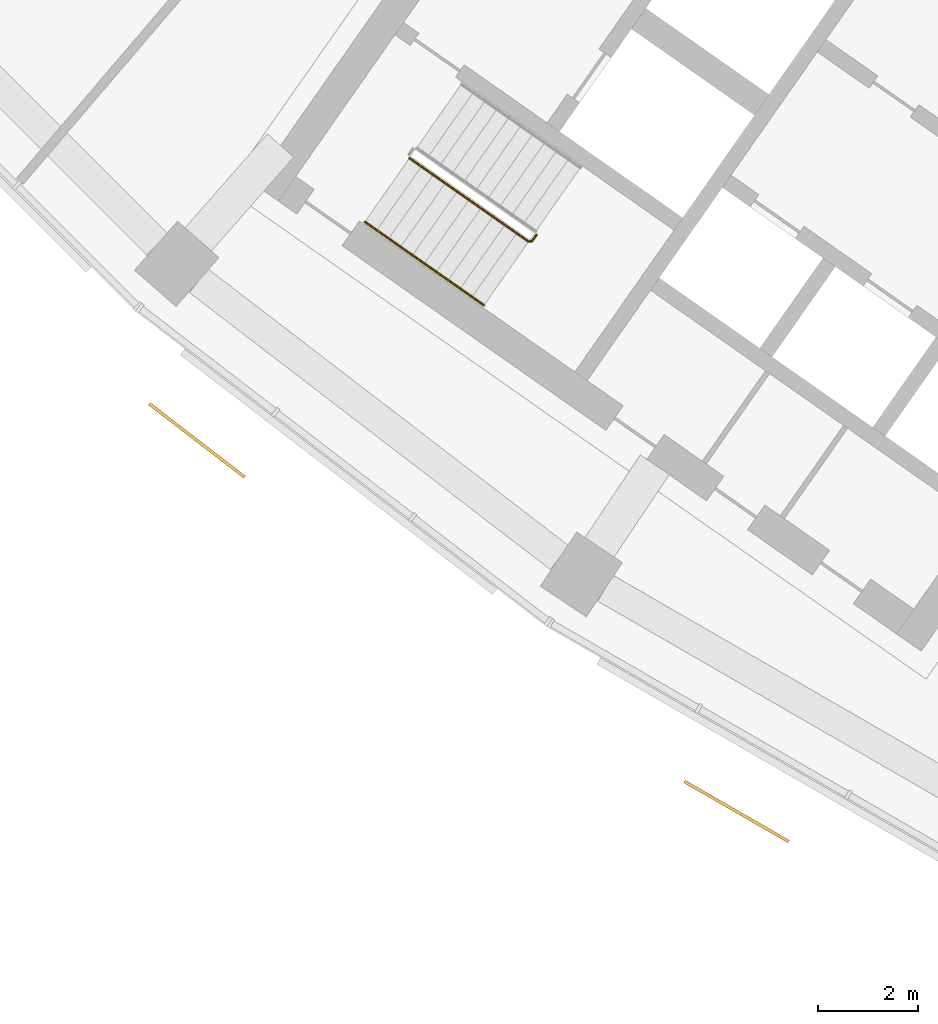
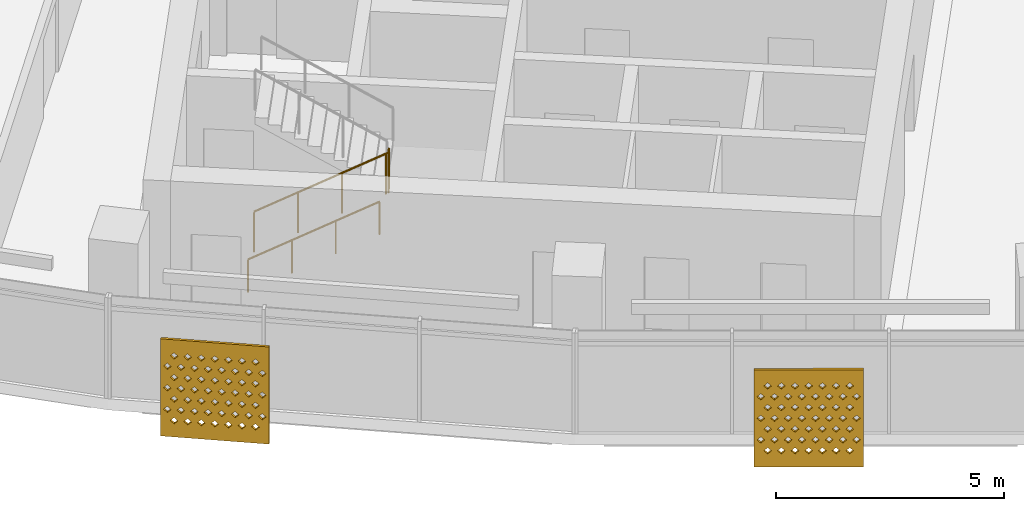
# One storey, part 21 of 26: 2 railings, 2 shading devices.
"""IFC4 building model written with IfcOpenShell, lengths in metres."""

from ifc_helpers import new_model, si_unit, direction, frame, origin, origin_2d, place, context, subcontext, project, spatial, polyline, circle, outline, extrude, material, material_profile, profile_set, type_object, element, save


model = new_model("IFC4")

# Units and contexts
model_context = context("Model", 3, precision=1e-05, world=origin(), true_north=direction((0.0, 1.0)))
body_context = subcontext(model_context, "Body", "Model", "MODEL_VIEW")
ifc_project = project(units=[si_unit("LENGTHUNIT", "METRE"), si_unit("AREAUNIT", "SQUARE_METRE"), si_unit("VOLUMEUNIT", "CUBIC_METRE"), si_unit("PLANEANGLEUNIT", "RADIAN"), si_unit("MASSUNIT", "GRAM", prefix="KILO")], contexts=[model_context])

# Site, building, storey
site_placement = place(None, origin())
site = spatial("IfcSite", under=ifc_project, at=site_placement, CompositionType="ELEMENT")
building_placement = place(site_placement, origin())
building = spatial("IfcBuilding", under=site, at=building_placement, Name="Qamariyya Broadcast Tower", CompositionType="ELEMENT")
storey_placement = place(building_placement, frame((0.0, 0.0, 168.300048828125)))
storey = spatial("IfcBuildingStorey", under=building, at=storey_placement, Name="L39", CompositionType="ELEMENT", Elevation=168.300048828125)

# Shading devices
ifc_material_1 = material(Name="Perforated glazed terracotta", Category="masonry")
ifc_material_profile = material_profile(ifc_material_1, outline(polyline([(-1.199951171875, -1.300048828125), (1.199951171875, -1.300048828125), (1.199951171875, 1.300048828125), (-1.199951171875, 1.300048828125), (-1.199951171875, -1.300048828125)]), holes=[polyline([(-0.81494140625, -0.86669921875), (-0.89990234375, -0.78173828125), (-0.985107421875, -0.86669921875), (-0.89990234375, -0.95166015625), (-0.81494140625, -0.86669921875)]), polyline([(-0.514892578125, -0.86669921875), (-0.60009765625, -0.78173828125), (-0.68505859375, -0.86669921875), (-0.60009765625, -0.95166015625), (-0.514892578125, -0.86669921875)]), polyline([(-0.215087890625, -0.86669921875), (-0.300048828125, -0.78173828125), (-0.385009765625, -0.86669921875), (-0.300048828125, -0.95166015625), (-0.215087890625, -0.86669921875)]), polyline([(0.0849609375, -0.86669921875), (0.0, -0.78173828125), (-0.0849609375, -0.86669921875), (0.0, -0.95166015625), (0.0849609375, -0.86669921875)]), polyline([(0.385009765625, -0.86669921875), (0.300048828125, -0.78173828125), (0.215087890625, -0.86669921875), (0.300048828125, -0.95166015625), (0.385009765625, -0.86669921875)]), polyline([(0.68505859375, -0.86669921875), (0.60009765625, -0.78173828125), (0.514892578125, -0.86669921875), (0.60009765625, -0.95166015625), (0.68505859375, -0.86669921875)]), polyline([(0.985107421875, -0.86669921875), (0.89990234375, -0.78173828125), (0.81494140625, -0.86669921875), (0.89990234375, -0.95166015625), (0.985107421875, -0.86669921875)]), polyline([(-0.965087890625, -0.577880859375), (-1.050048828125, -0.49267578125), (-1.135009765625, -0.577880859375), (-1.050048828125, -0.662841796875), (-0.965087890625, -0.577880859375)]), polyline([(-0.6650390625, -0.577880859375), (-0.75, -0.49267578125), (-0.8349609375, -0.577880859375), (-0.75, -0.662841796875), (-0.6650390625, -0.577880859375)]), polyline([(-0.364990234375, -0.577880859375), (-0.449951171875, -0.49267578125), (-0.534912109375, -0.577880859375), (-0.449951171875, -0.662841796875), (-0.364990234375, -0.577880859375)]), polyline([(-0.06494140625, -0.577880859375), (-0.14990234375, -0.49267578125), (-0.235107421875, -0.577880859375), (-0.14990234375, -0.662841796875), (-0.06494140625, -0.577880859375)]), polyline([(0.235107421875, -0.577880859375), (0.14990234375, -0.49267578125), (0.06494140625, -0.577880859375), (0.14990234375, -0.662841796875), (0.235107421875, -0.577880859375)]), polyline([(0.534912109375, -0.577880859375), (0.449951171875, -0.49267578125), (0.364990234375, -0.577880859375), (0.449951171875, -0.662841796875), (0.534912109375, -0.577880859375)]), polyline([(0.8349609375, -0.577880859375), (0.75, -0.49267578125), (0.6650390625, -0.577880859375), (0.75, -0.662841796875), (0.8349609375, -0.577880859375)]), polyline([(1.135009765625, -0.577880859375), (1.050048828125, -0.49267578125), (0.965087890625, -0.577880859375), (1.050048828125, -0.662841796875), (1.135009765625, -0.577880859375)]), polyline([(-0.81494140625, -0.288818359375), (-0.89990234375, -0.203857421875), (-0.985107421875, -0.288818359375), (-0.89990234375, -0.373779296875), (-0.81494140625, -0.288818359375)]), polyline([(-0.514892578125, -0.288818359375), (-0.60009765625, -0.203857421875), (-0.68505859375, -0.288818359375), (-0.60009765625, -0.373779296875), (-0.514892578125, -0.288818359375)]), polyline([(-0.215087890625, -0.288818359375), (-0.300048828125, -0.203857421875), (-0.385009765625, -0.288818359375), (-0.300048828125, -0.373779296875), (-0.215087890625, -0.288818359375)]), polyline([(0.0849609375, -0.288818359375), (0.0, -0.203857421875), (-0.0849609375, -0.288818359375), (0.0, -0.373779296875), (0.0849609375, -0.288818359375)]), polyline([(0.385009765625, -0.288818359375), (0.300048828125, -0.203857421875), (0.215087890625, -0.288818359375), (0.300048828125, -0.373779296875), (0.385009765625, -0.288818359375)]), polyline([(0.68505859375, -0.288818359375), (0.60009765625, -0.203857421875), (0.514892578125, -0.288818359375), (0.60009765625, -0.373779296875), (0.68505859375, -0.288818359375)]), polyline([(0.985107421875, -0.288818359375), (0.89990234375, -0.203857421875), (0.81494140625, -0.288818359375), (0.89990234375, -0.373779296875), (0.985107421875, -0.288818359375)]), polyline([(-0.965087890625, 0.0), (-1.050048828125, 0.0849609375), (-1.135009765625, 0.0), (-1.050048828125, -0.0849609375), (-0.965087890625, 0.0)]), polyline([(-0.6650390625, 0.0), (-0.75, 0.0849609375), (-0.8349609375, 0.0), (-0.75, -0.0849609375), (-0.6650390625, 0.0)]), polyline([(-0.364990234375, 0.0), (-0.449951171875, 0.0849609375), (-0.534912109375, 0.0), (-0.449951171875, -0.0849609375), (-0.364990234375, 0.0)]), polyline([(-0.06494140625, 0.0), (-0.14990234375, 0.0849609375), (-0.235107421875, 0.0), (-0.14990234375, -0.0849609375), (-0.06494140625, 0.0)]), polyline([(0.235107421875, 0.0), (0.14990234375, 0.0849609375), (0.06494140625, 0.0), (0.14990234375, -0.0849609375), (0.235107421875, 0.0)]), polyline([(0.534912109375, 0.0), (0.449951171875, 0.0849609375), (0.364990234375, 0.0), (0.449951171875, -0.0849609375), (0.534912109375, 0.0)]), polyline([(0.8349609375, 0.0), (0.75, 0.0849609375), (0.6650390625, 0.0), (0.75, -0.0849609375), (0.8349609375, 0.0)]), polyline([(1.135009765625, 0.0), (1.050048828125, 0.0849609375), (0.965087890625, 0.0), (1.050048828125, -0.0849609375), (1.135009765625, 0.0)]), polyline([(-0.81494140625, 0.288818359375), (-0.89990234375, 0.373779296875), (-0.985107421875, 0.288818359375), (-0.89990234375, 0.203857421875), (-0.81494140625, 0.288818359375)]), polyline([(-0.514892578125, 0.288818359375), (-0.60009765625, 0.373779296875), (-0.68505859375, 0.288818359375), (-0.60009765625, 0.203857421875), (-0.514892578125, 0.288818359375)]), polyline([(-0.215087890625, 0.288818359375), (-0.300048828125, 0.373779296875), (-0.385009765625, 0.288818359375), (-0.300048828125, 0.203857421875), (-0.215087890625, 0.288818359375)]), polyline([(0.0849609375, 0.288818359375), (0.0, 0.373779296875), (-0.0849609375, 0.288818359375), (0.0, 0.203857421875), (0.0849609375, 0.288818359375)]), polyline([(0.385009765625, 0.288818359375), (0.300048828125, 0.373779296875), (0.215087890625, 0.288818359375), (0.300048828125, 0.203857421875), (0.385009765625, 0.288818359375)]), polyline([(0.68505859375, 0.288818359375), (0.60009765625, 0.373779296875), (0.514892578125, 0.288818359375), (0.60009765625, 0.203857421875), (0.68505859375, 0.288818359375)]), polyline([(0.985107421875, 0.288818359375), (0.89990234375, 0.373779296875), (0.81494140625, 0.288818359375), (0.89990234375, 0.203857421875), (0.985107421875, 0.288818359375)]), polyline([(-0.965087890625, 0.577880859375), (-1.050048828125, 0.662841796875), (-1.135009765625, 0.577880859375), (-1.050048828125, 0.49267578125), (-0.965087890625, 0.577880859375)]), polyline([(-0.6650390625, 0.577880859375), (-0.75, 0.662841796875), (-0.8349609375, 0.577880859375), (-0.75, 0.49267578125), (-0.6650390625, 0.577880859375)]), polyline([(-0.364990234375, 0.577880859375), (-0.449951171875, 0.662841796875), (-0.534912109375, 0.577880859375), (-0.449951171875, 0.49267578125), (-0.364990234375, 0.577880859375)]), polyline([(-0.06494140625, 0.577880859375), (-0.14990234375, 0.662841796875), (-0.235107421875, 0.577880859375), (-0.14990234375, 0.49267578125), (-0.06494140625, 0.577880859375)]), polyline([(0.235107421875, 0.577880859375), (0.14990234375, 0.662841796875), (0.06494140625, 0.577880859375), (0.14990234375, 0.49267578125), (0.235107421875, 0.577880859375)]), polyline([(0.534912109375, 0.577880859375), (0.449951171875, 0.662841796875), (0.364990234375, 0.577880859375), (0.449951171875, 0.49267578125), (0.534912109375, 0.577880859375)]), polyline([(0.8349609375, 0.577880859375), (0.75, 0.662841796875), (0.6650390625, 0.577880859375), (0.75, 0.49267578125), (0.8349609375, 0.577880859375)]), polyline([(1.135009765625, 0.577880859375), (1.050048828125, 0.662841796875), (0.965087890625, 0.577880859375), (1.050048828125, 0.49267578125), (1.135009765625, 0.577880859375)]), polyline([(-0.81494140625, 0.86669921875), (-0.89990234375, 0.95166015625), (-0.985107421875, 0.86669921875), (-0.89990234375, 0.78173828125), (-0.81494140625, 0.86669921875)]), polyline([(-0.514892578125, 0.86669921875), (-0.60009765625, 0.95166015625), (-0.68505859375, 0.86669921875), (-0.60009765625, 0.78173828125), (-0.514892578125, 0.86669921875)]), polyline([(-0.215087890625, 0.86669921875), (-0.300048828125, 0.95166015625), (-0.385009765625, 0.86669921875), (-0.300048828125, 0.78173828125), (-0.215087890625, 0.86669921875)]), polyline([(0.0849609375, 0.86669921875), (0.0, 0.95166015625), (-0.0849609375, 0.86669921875), (0.0, 0.78173828125), (0.0849609375, 0.86669921875)]), polyline([(0.385009765625, 0.86669921875), (0.300048828125, 0.95166015625), (0.215087890625, 0.86669921875), (0.300048828125, 0.78173828125), (0.385009765625, 0.86669921875)]), polyline([(0.68505859375, 0.86669921875), (0.60009765625, 0.95166015625), (0.514892578125, 0.86669921875), (0.60009765625, 0.78173828125), (0.68505859375, 0.86669921875)]), polyline([(0.985107421875, 0.86669921875), (0.89990234375, 0.95166015625), (0.81494140625, 0.86669921875), (0.89990234375, 0.78173828125), (0.985107421875, 0.86669921875)])]))
ifc_profile_set = profile_set([ifc_material_profile], Name="Perforated glazed terracotta")
shading_device_type = type_object("IfcShadingDeviceType", Name="Perforated terracotta screen 2400 x 2600", PredefinedType="USERDEFINED", material=ifc_profile_set)
shading_device_1_placement = place(storey_placement, frame((-50.844970703125, -61.9501953125, 1.349853515625), z_axis=(-0.60971076085, -0.792623989105, 0.0), x_axis=(0.792623989105, -0.60971076085, 0.0)))
element("IfcShadingDevice", 1, at=shading_device_1_placement, inside=storey, type_object=shading_device_type, Name="e-scr-L39-02-0", ObjectType="SCREEN", PredefinedType="USERDEFINED", context=body_context, shape_type="SweptSolid", body=[
    extrude(outline(polyline([(-1.199951171875, -1.300048828125), (1.199951171875, -1.300048828125), (1.199951171875, 1.300048828125), (-1.199951171875, 1.300048828125), (-1.199951171875, -1.300048828125)]), holes=[polyline([(-0.81494140625, -0.86669921875), (-0.89990234375, -0.78173828125), (-0.985107421875, -0.86669921875), (-0.89990234375, -0.95166015625), (-0.81494140625, -0.86669921875)]), polyline([(-0.514892578125, -0.86669921875), (-0.60009765625, -0.78173828125), (-0.68505859375, -0.86669921875), (-0.60009765625, -0.95166015625), (-0.514892578125, -0.86669921875)]), polyline([(-0.215087890625, -0.86669921875), (-0.300048828125, -0.78173828125), (-0.385009765625, -0.86669921875), (-0.300048828125, -0.95166015625), (-0.215087890625, -0.86669921875)]), polyline([(0.0849609375, -0.86669921875), (0.0, -0.78173828125), (-0.0849609375, -0.86669921875), (0.0, -0.95166015625), (0.0849609375, -0.86669921875)]), polyline([(0.385009765625, -0.86669921875), (0.300048828125, -0.78173828125), (0.215087890625, -0.86669921875), (0.300048828125, -0.95166015625), (0.385009765625, -0.86669921875)]), polyline([(0.68505859375, -0.86669921875), (0.60009765625, -0.78173828125), (0.514892578125, -0.86669921875), (0.60009765625, -0.95166015625), (0.68505859375, -0.86669921875)]), polyline([(0.985107421875, -0.86669921875), (0.89990234375, -0.78173828125), (0.81494140625, -0.86669921875), (0.89990234375, -0.95166015625), (0.985107421875, -0.86669921875)]), polyline([(-0.965087890625, -0.577880859375), (-1.050048828125, -0.49267578125), (-1.135009765625, -0.577880859375), (-1.050048828125, -0.662841796875), (-0.965087890625, -0.577880859375)]), polyline([(-0.6650390625, -0.577880859375), (-0.75, -0.49267578125), (-0.8349609375, -0.577880859375), (-0.75, -0.662841796875), (-0.6650390625, -0.577880859375)]), polyline([(-0.364990234375, -0.577880859375), (-0.449951171875, -0.49267578125), (-0.534912109375, -0.577880859375), (-0.449951171875, -0.662841796875), (-0.364990234375, -0.577880859375)]), polyline([(-0.06494140625, -0.577880859375), (-0.14990234375, -0.49267578125), (-0.235107421875, -0.577880859375), (-0.14990234375, -0.662841796875), (-0.06494140625, -0.577880859375)]), polyline([(0.235107421875, -0.577880859375), (0.14990234375, -0.49267578125), (0.06494140625, -0.577880859375), (0.14990234375, -0.662841796875), (0.235107421875, -0.577880859375)]), polyline([(0.534912109375, -0.577880859375), (0.449951171875, -0.49267578125), (0.364990234375, -0.577880859375), (0.449951171875, -0.662841796875), (0.534912109375, -0.577880859375)]), polyline([(0.8349609375, -0.577880859375), (0.75, -0.49267578125), (0.6650390625, -0.577880859375), (0.75, -0.662841796875), (0.8349609375, -0.577880859375)]), polyline([(1.135009765625, -0.577880859375), (1.050048828125, -0.49267578125), (0.965087890625, -0.577880859375), (1.050048828125, -0.662841796875), (1.135009765625, -0.577880859375)]), polyline([(-0.81494140625, -0.288818359375), (-0.89990234375, -0.203857421875), (-0.985107421875, -0.288818359375), (-0.89990234375, -0.373779296875), (-0.81494140625, -0.288818359375)]), polyline([(-0.514892578125, -0.288818359375), (-0.60009765625, -0.203857421875), (-0.68505859375, -0.288818359375), (-0.60009765625, -0.373779296875), (-0.514892578125, -0.288818359375)]), polyline([(-0.215087890625, -0.288818359375), (-0.300048828125, -0.203857421875), (-0.385009765625, -0.288818359375), (-0.300048828125, -0.373779296875), (-0.215087890625, -0.288818359375)]), polyline([(0.0849609375, -0.288818359375), (0.0, -0.203857421875), (-0.0849609375, -0.288818359375), (0.0, -0.373779296875), (0.0849609375, -0.288818359375)]), polyline([(0.385009765625, -0.288818359375), (0.300048828125, -0.203857421875), (0.215087890625, -0.288818359375), (0.300048828125, -0.373779296875), (0.385009765625, -0.288818359375)]), polyline([(0.68505859375, -0.288818359375), (0.60009765625, -0.203857421875), (0.514892578125, -0.288818359375), (0.60009765625, -0.373779296875), (0.68505859375, -0.288818359375)]), polyline([(0.985107421875, -0.288818359375), (0.89990234375, -0.203857421875), (0.81494140625, -0.288818359375), (0.89990234375, -0.373779296875), (0.985107421875, -0.288818359375)]), polyline([(-0.965087890625, 0.0), (-1.050048828125, 0.0849609375), (-1.135009765625, 0.0), (-1.050048828125, -0.0849609375), (-0.965087890625, 0.0)]), polyline([(-0.6650390625, 0.0), (-0.75, 0.0849609375), (-0.8349609375, 0.0), (-0.75, -0.0849609375), (-0.6650390625, 0.0)]), polyline([(-0.364990234375, 0.0), (-0.449951171875, 0.0849609375), (-0.534912109375, 0.0), (-0.449951171875, -0.0849609375), (-0.364990234375, 0.0)]), polyline([(-0.06494140625, 0.0), (-0.14990234375, 0.0849609375), (-0.235107421875, 0.0), (-0.14990234375, -0.0849609375), (-0.06494140625, 0.0)]), polyline([(0.235107421875, 0.0), (0.14990234375, 0.0849609375), (0.06494140625, 0.0), (0.14990234375, -0.0849609375), (0.235107421875, 0.0)]), polyline([(0.534912109375, 0.0), (0.449951171875, 0.0849609375), (0.364990234375, 0.0), (0.449951171875, -0.0849609375), (0.534912109375, 0.0)]), polyline([(0.8349609375, 0.0), (0.75, 0.0849609375), (0.6650390625, 0.0), (0.75, -0.0849609375), (0.8349609375, 0.0)]), polyline([(1.135009765625, 0.0), (1.050048828125, 0.0849609375), (0.965087890625, 0.0), (1.050048828125, -0.0849609375), (1.135009765625, 0.0)]), polyline([(-0.81494140625, 0.288818359375), (-0.89990234375, 0.373779296875), (-0.985107421875, 0.288818359375), (-0.89990234375, 0.203857421875), (-0.81494140625, 0.288818359375)]), polyline([(-0.514892578125, 0.288818359375), (-0.60009765625, 0.373779296875), (-0.68505859375, 0.288818359375), (-0.60009765625, 0.203857421875), (-0.514892578125, 0.288818359375)]), polyline([(-0.215087890625, 0.288818359375), (-0.300048828125, 0.373779296875), (-0.385009765625, 0.288818359375), (-0.300048828125, 0.203857421875), (-0.215087890625, 0.288818359375)]), polyline([(0.0849609375, 0.288818359375), (0.0, 0.373779296875), (-0.0849609375, 0.288818359375), (0.0, 0.203857421875), (0.0849609375, 0.288818359375)]), polyline([(0.385009765625, 0.288818359375), (0.300048828125, 0.373779296875), (0.215087890625, 0.288818359375), (0.300048828125, 0.203857421875), (0.385009765625, 0.288818359375)]), polyline([(0.68505859375, 0.288818359375), (0.60009765625, 0.373779296875), (0.514892578125, 0.288818359375), (0.60009765625, 0.203857421875), (0.68505859375, 0.288818359375)]), polyline([(0.985107421875, 0.288818359375), (0.89990234375, 0.373779296875), (0.81494140625, 0.288818359375), (0.89990234375, 0.203857421875), (0.985107421875, 0.288818359375)]), polyline([(-0.965087890625, 0.577880859375), (-1.050048828125, 0.662841796875), (-1.135009765625, 0.577880859375), (-1.050048828125, 0.49267578125), (-0.965087890625, 0.577880859375)]), polyline([(-0.6650390625, 0.577880859375), (-0.75, 0.662841796875), (-0.8349609375, 0.577880859375), (-0.75, 0.49267578125), (-0.6650390625, 0.577880859375)]), polyline([(-0.364990234375, 0.577880859375), (-0.449951171875, 0.662841796875), (-0.534912109375, 0.577880859375), (-0.449951171875, 0.49267578125), (-0.364990234375, 0.577880859375)]), polyline([(-0.06494140625, 0.577880859375), (-0.14990234375, 0.662841796875), (-0.235107421875, 0.577880859375), (-0.14990234375, 0.49267578125), (-0.06494140625, 0.577880859375)]), polyline([(0.235107421875, 0.577880859375), (0.14990234375, 0.662841796875), (0.06494140625, 0.577880859375), (0.14990234375, 0.49267578125), (0.235107421875, 0.577880859375)]), polyline([(0.534912109375, 0.577880859375), (0.449951171875, 0.662841796875), (0.364990234375, 0.577880859375), (0.449951171875, 0.49267578125), (0.534912109375, 0.577880859375)]), polyline([(0.8349609375, 0.577880859375), (0.75, 0.662841796875), (0.6650390625, 0.577880859375), (0.75, 0.49267578125), (0.8349609375, 0.577880859375)]), polyline([(1.135009765625, 0.577880859375), (1.050048828125, 0.662841796875), (0.965087890625, 0.577880859375), (1.050048828125, 0.49267578125), (1.135009765625, 0.577880859375)]), polyline([(-0.81494140625, 0.86669921875), (-0.89990234375, 0.95166015625), (-0.985107421875, 0.86669921875), (-0.89990234375, 0.78173828125), (-0.81494140625, 0.86669921875)]), polyline([(-0.514892578125, 0.86669921875), (-0.60009765625, 0.95166015625), (-0.68505859375, 0.86669921875), (-0.60009765625, 0.78173828125), (-0.514892578125, 0.86669921875)]), polyline([(-0.215087890625, 0.86669921875), (-0.300048828125, 0.95166015625), (-0.385009765625, 0.86669921875), (-0.300048828125, 0.78173828125), (-0.215087890625, 0.86669921875)]), polyline([(0.0849609375, 0.86669921875), (0.0, 0.95166015625), (-0.0849609375, 0.86669921875), (0.0, 0.78173828125), (0.0849609375, 0.86669921875)]), polyline([(0.385009765625, 0.86669921875), (0.300048828125, 0.95166015625), (0.215087890625, 0.86669921875), (0.300048828125, 0.78173828125), (0.385009765625, 0.86669921875)]), polyline([(0.68505859375, 0.86669921875), (0.60009765625, 0.95166015625), (0.514892578125, 0.86669921875), (0.60009765625, 0.78173828125), (0.68505859375, 0.86669921875)]), polyline([(0.985107421875, 0.86669921875), (0.89990234375, 0.95166015625), (0.81494140625, 0.86669921875), (0.89990234375, 0.78173828125), (0.985107421875, 0.86669921875)])]), origin(), (0.0, 0.0, 1.0), 0.06005859375),
])
shading_device_2_placement = place(storey_placement, frame((-40.086669921875, -69.3486328125, 1.349853515625), z_axis=(-0.498778343083, -0.866729579783, 0.0), x_axis=(0.866729579783, -0.498778343083, 0.0)))
element("IfcShadingDevice", 2, at=shading_device_2_placement, inside=storey, type_object=shading_device_type, Name="e-scr-L39-03-1", ObjectType="SCREEN", PredefinedType="USERDEFINED", context=body_context, shape_type="SweptSolid", body=[
    extrude(outline(polyline([(-1.199951171875, -1.300048828125), (1.199951171875, -1.300048828125), (1.199951171875, 1.300048828125), (-1.199951171875, 1.300048828125), (-1.199951171875, -1.300048828125)]), holes=[polyline([(-0.81494140625, -0.86669921875), (-0.89990234375, -0.78173828125), (-0.985107421875, -0.86669921875), (-0.89990234375, -0.95166015625), (-0.81494140625, -0.86669921875)]), polyline([(-0.514892578125, -0.86669921875), (-0.60009765625, -0.78173828125), (-0.68505859375, -0.86669921875), (-0.60009765625, -0.95166015625), (-0.514892578125, -0.86669921875)]), polyline([(-0.215087890625, -0.86669921875), (-0.300048828125, -0.78173828125), (-0.385009765625, -0.86669921875), (-0.300048828125, -0.95166015625), (-0.215087890625, -0.86669921875)]), polyline([(0.0849609375, -0.86669921875), (0.0, -0.78173828125), (-0.0849609375, -0.86669921875), (0.0, -0.95166015625), (0.0849609375, -0.86669921875)]), polyline([(0.385009765625, -0.86669921875), (0.300048828125, -0.78173828125), (0.215087890625, -0.86669921875), (0.300048828125, -0.95166015625), (0.385009765625, -0.86669921875)]), polyline([(0.68505859375, -0.86669921875), (0.60009765625, -0.78173828125), (0.514892578125, -0.86669921875), (0.60009765625, -0.95166015625), (0.68505859375, -0.86669921875)]), polyline([(0.985107421875, -0.86669921875), (0.89990234375, -0.78173828125), (0.81494140625, -0.86669921875), (0.89990234375, -0.95166015625), (0.985107421875, -0.86669921875)]), polyline([(-0.965087890625, -0.577880859375), (-1.050048828125, -0.49267578125), (-1.135009765625, -0.577880859375), (-1.050048828125, -0.662841796875), (-0.965087890625, -0.577880859375)]), polyline([(-0.6650390625, -0.577880859375), (-0.75, -0.49267578125), (-0.8349609375, -0.577880859375), (-0.75, -0.662841796875), (-0.6650390625, -0.577880859375)]), polyline([(-0.364990234375, -0.577880859375), (-0.449951171875, -0.49267578125), (-0.534912109375, -0.577880859375), (-0.449951171875, -0.662841796875), (-0.364990234375, -0.577880859375)]), polyline([(-0.06494140625, -0.577880859375), (-0.14990234375, -0.49267578125), (-0.235107421875, -0.577880859375), (-0.14990234375, -0.662841796875), (-0.06494140625, -0.577880859375)]), polyline([(0.235107421875, -0.577880859375), (0.14990234375, -0.49267578125), (0.06494140625, -0.577880859375), (0.14990234375, -0.662841796875), (0.235107421875, -0.577880859375)]), polyline([(0.534912109375, -0.577880859375), (0.449951171875, -0.49267578125), (0.364990234375, -0.577880859375), (0.449951171875, -0.662841796875), (0.534912109375, -0.577880859375)]), polyline([(0.8349609375, -0.577880859375), (0.75, -0.49267578125), (0.6650390625, -0.577880859375), (0.75, -0.662841796875), (0.8349609375, -0.577880859375)]), polyline([(1.135009765625, -0.577880859375), (1.050048828125, -0.49267578125), (0.965087890625, -0.577880859375), (1.050048828125, -0.662841796875), (1.135009765625, -0.577880859375)]), polyline([(-0.81494140625, -0.288818359375), (-0.89990234375, -0.203857421875), (-0.985107421875, -0.288818359375), (-0.89990234375, -0.373779296875), (-0.81494140625, -0.288818359375)]), polyline([(-0.514892578125, -0.288818359375), (-0.60009765625, -0.203857421875), (-0.68505859375, -0.288818359375), (-0.60009765625, -0.373779296875), (-0.514892578125, -0.288818359375)]), polyline([(-0.215087890625, -0.288818359375), (-0.300048828125, -0.203857421875), (-0.385009765625, -0.288818359375), (-0.300048828125, -0.373779296875), (-0.215087890625, -0.288818359375)]), polyline([(0.0849609375, -0.288818359375), (0.0, -0.203857421875), (-0.0849609375, -0.288818359375), (0.0, -0.373779296875), (0.0849609375, -0.288818359375)]), polyline([(0.385009765625, -0.288818359375), (0.300048828125, -0.203857421875), (0.215087890625, -0.288818359375), (0.300048828125, -0.373779296875), (0.385009765625, -0.288818359375)]), polyline([(0.68505859375, -0.288818359375), (0.60009765625, -0.203857421875), (0.514892578125, -0.288818359375), (0.60009765625, -0.373779296875), (0.68505859375, -0.288818359375)]), polyline([(0.985107421875, -0.288818359375), (0.89990234375, -0.203857421875), (0.81494140625, -0.288818359375), (0.89990234375, -0.373779296875), (0.985107421875, -0.288818359375)]), polyline([(-0.965087890625, 0.0), (-1.050048828125, 0.0849609375), (-1.135009765625, 0.0), (-1.050048828125, -0.0849609375), (-0.965087890625, 0.0)]), polyline([(-0.6650390625, 0.0), (-0.75, 0.0849609375), (-0.8349609375, 0.0), (-0.75, -0.0849609375), (-0.6650390625, 0.0)]), polyline([(-0.364990234375, 0.0), (-0.449951171875, 0.0849609375), (-0.534912109375, 0.0), (-0.449951171875, -0.0849609375), (-0.364990234375, 0.0)]), polyline([(-0.06494140625, 0.0), (-0.14990234375, 0.0849609375), (-0.235107421875, 0.0), (-0.14990234375, -0.0849609375), (-0.06494140625, 0.0)]), polyline([(0.235107421875, 0.0), (0.14990234375, 0.0849609375), (0.06494140625, 0.0), (0.14990234375, -0.0849609375), (0.235107421875, 0.0)]), polyline([(0.534912109375, 0.0), (0.449951171875, 0.0849609375), (0.364990234375, 0.0), (0.449951171875, -0.0849609375), (0.534912109375, 0.0)]), polyline([(0.8349609375, 0.0), (0.75, 0.0849609375), (0.6650390625, 0.0), (0.75, -0.0849609375), (0.8349609375, 0.0)]), polyline([(1.135009765625, 0.0), (1.050048828125, 0.0849609375), (0.965087890625, 0.0), (1.050048828125, -0.0849609375), (1.135009765625, 0.0)]), polyline([(-0.81494140625, 0.288818359375), (-0.89990234375, 0.373779296875), (-0.985107421875, 0.288818359375), (-0.89990234375, 0.203857421875), (-0.81494140625, 0.288818359375)]), polyline([(-0.514892578125, 0.288818359375), (-0.60009765625, 0.373779296875), (-0.68505859375, 0.288818359375), (-0.60009765625, 0.203857421875), (-0.514892578125, 0.288818359375)]), polyline([(-0.215087890625, 0.288818359375), (-0.300048828125, 0.373779296875), (-0.385009765625, 0.288818359375), (-0.300048828125, 0.203857421875), (-0.215087890625, 0.288818359375)]), polyline([(0.0849609375, 0.288818359375), (0.0, 0.373779296875), (-0.0849609375, 0.288818359375), (0.0, 0.203857421875), (0.0849609375, 0.288818359375)]), polyline([(0.385009765625, 0.288818359375), (0.300048828125, 0.373779296875), (0.215087890625, 0.288818359375), (0.300048828125, 0.203857421875), (0.385009765625, 0.288818359375)]), polyline([(0.68505859375, 0.288818359375), (0.60009765625, 0.373779296875), (0.514892578125, 0.288818359375), (0.60009765625, 0.203857421875), (0.68505859375, 0.288818359375)]), polyline([(0.985107421875, 0.288818359375), (0.89990234375, 0.373779296875), (0.81494140625, 0.288818359375), (0.89990234375, 0.203857421875), (0.985107421875, 0.288818359375)]), polyline([(-0.965087890625, 0.577880859375), (-1.050048828125, 0.662841796875), (-1.135009765625, 0.577880859375), (-1.050048828125, 0.49267578125), (-0.965087890625, 0.577880859375)]), polyline([(-0.6650390625, 0.577880859375), (-0.75, 0.662841796875), (-0.8349609375, 0.577880859375), (-0.75, 0.49267578125), (-0.6650390625, 0.577880859375)]), polyline([(-0.364990234375, 0.577880859375), (-0.449951171875, 0.662841796875), (-0.534912109375, 0.577880859375), (-0.449951171875, 0.49267578125), (-0.364990234375, 0.577880859375)]), polyline([(-0.06494140625, 0.577880859375), (-0.14990234375, 0.662841796875), (-0.235107421875, 0.577880859375), (-0.14990234375, 0.49267578125), (-0.06494140625, 0.577880859375)]), polyline([(0.235107421875, 0.577880859375), (0.14990234375, 0.662841796875), (0.06494140625, 0.577880859375), (0.14990234375, 0.49267578125), (0.235107421875, 0.577880859375)]), polyline([(0.534912109375, 0.577880859375), (0.449951171875, 0.662841796875), (0.364990234375, 0.577880859375), (0.449951171875, 0.49267578125), (0.534912109375, 0.577880859375)]), polyline([(0.8349609375, 0.577880859375), (0.75, 0.662841796875), (0.6650390625, 0.577880859375), (0.75, 0.49267578125), (0.8349609375, 0.577880859375)]), polyline([(1.135009765625, 0.577880859375), (1.050048828125, 0.662841796875), (0.965087890625, 0.577880859375), (1.050048828125, 0.49267578125), (1.135009765625, 0.577880859375)]), polyline([(-0.81494140625, 0.86669921875), (-0.89990234375, 0.95166015625), (-0.985107421875, 0.86669921875), (-0.89990234375, 0.78173828125), (-0.81494140625, 0.86669921875)]), polyline([(-0.514892578125, 0.86669921875), (-0.60009765625, 0.95166015625), (-0.68505859375, 0.86669921875), (-0.60009765625, 0.78173828125), (-0.514892578125, 0.86669921875)]), polyline([(-0.215087890625, 0.86669921875), (-0.300048828125, 0.95166015625), (-0.385009765625, 0.86669921875), (-0.300048828125, 0.78173828125), (-0.215087890625, 0.86669921875)]), polyline([(0.0849609375, 0.86669921875), (0.0, 0.95166015625), (-0.0849609375, 0.86669921875), (0.0, 0.78173828125), (0.0849609375, 0.86669921875)]), polyline([(0.385009765625, 0.86669921875), (0.300048828125, 0.95166015625), (0.215087890625, 0.86669921875), (0.300048828125, 0.78173828125), (0.385009765625, 0.86669921875)]), polyline([(0.68505859375, 0.86669921875), (0.60009765625, 0.95166015625), (0.514892578125, 0.86669921875), (0.60009765625, 0.78173828125), (0.68505859375, 0.86669921875)]), polyline([(0.985107421875, 0.86669921875), (0.89990234375, 0.95166015625), (0.81494140625, 0.86669921875), (0.89990234375, 0.78173828125), (0.985107421875, 0.86669921875)])]), origin(), (0.0, 0.0, 1.0), 0.059814453125),
])

# Railings
ifc_material_2 = material(Name="Painted steel", Category="steel")
railing_type_1 = type_object("IfcRailingType", Name="Stair guard", PredefinedType="GUARDRAIL", material=ifc_material_2)
railing_1_placement = place(storey_placement, frame((-46.624267578125, -56.34765625, 0.172607421875)))
element("IfcRailing", 3, at=railing_1_placement, inside=storey, type_object=railing_type_1, Name="L39 ST-W1 stair guard 1", PredefinedType="GUARDRAIL", context=body_context, shape_type="SweptSolid", body=[
    extrude(circle(Radius=0.02392578125, at=origin_2d()), frame((0.0, 0.0, 1.076171875), z_axis=(0.703745009021, -0.492838488332, 0.511715923826), x_axis=(0.573631830683, 0.819113253969, 0.0)), (0.0, 0.0, 1.0), 3.37548828125),
    extrude(circle(Radius=0.02392578125, at=origin_2d()), frame((2.37548828125, -1.66357421875, 2.80322265625), z_axis=(0.984363469884, 0.176149252506, 0.0), x_axis=(-0.176149252506, 0.984363469884, 0.0)), (0.0, 0.0, 1.0), 0.07080078125),
    extrude(circle(Radius=0.02392578125, at=origin_2d()), frame((2.445068359375, -1.651123046875, 2.80322265625), z_axis=(0.574444878118, 0.818543268254, 0.0), x_axis=(-0.818543268254, 0.574444878118, 0.0)), (0.0, 0.0, 1.0), 0.150146484375),
    extrude(circle(Radius=0.02099609375, at=origin_2d()), origin(), (0.0, 0.0, 1.0), 1.052001953125),
    extrude(circle(Radius=0.02099609375, at=origin_2d()), frame((0.791748046875, -0.554443359375, 0.57568359375)), (0.0, 0.0, 1.0), 1.052001953125),
    extrude(circle(Radius=0.02099609375, at=origin_2d()), frame((1.583740234375, -1.109130859375, 1.151611328125)), (0.0, 0.0, 1.0), 1.052001953125),
    extrude(circle(Radius=0.02099609375, at=origin_2d()), frame((2.37548828125, -1.66357421875, 1.727294921875)), (0.0, 0.0, 1.0), 1.052001953125),
    extrude(circle(Radius=0.02099609375, at=origin_2d()), frame((2.445068359375, -1.651123046875, 1.727294921875)), (0.0, 0.0, 1.0), 1.052001953125),
    extrude(circle(Radius=0.02099609375, at=origin_2d()), frame((2.53125, -1.5283203125, 1.727294921875)), (0.0, 0.0, 1.0), 1.052001953125),
])
ifc_material_3 = material(Name="Stainless steel", Category="steel")
railing_type_2 = type_object("IfcRailingType", Name="Stair handrail", PredefinedType="HANDRAIL", material=ifc_material_3)
railing_2_placement = place(storey_placement, frame((-47.513427734375, -57.617431640625, 0.172607421875)))
element("IfcRailing", 4, at=railing_2_placement, inside=storey, type_object=railing_type_2, Name="L39 ST-W1 stair handrail 1", PredefinedType="HANDRAIL", context=body_context, shape_type="SweptSolid", body=[
    extrude(circle(Radius=0.02392578125, at=origin_2d()), frame((0.0, 0.0, 0.8759765625), z_axis=(0.703770094002, -0.492783725636, 0.511734163933), x_axis=(0.573575343427, 0.819152809562, 0.0)), (0.0, 0.0, 1.0), 3.37548828125),
    extrude(circle(Radius=0.02099609375, at=origin_2d()), origin(), (0.0, 0.0, 1.0), 0.851806640625),
    extrude(circle(Radius=0.02099609375, at=origin_2d()), frame((0.791748046875, -0.554443359375, 0.57568359375)), (0.0, 0.0, 1.0), 0.851806640625),
    extrude(circle(Radius=0.02099609375, at=origin_2d()), frame((1.583740234375, -1.10888671875, 1.151611328125)), (0.0, 0.0, 1.0), 0.851806640625),
    extrude(circle(Radius=0.02099609375, at=origin_2d()), frame((2.37548828125, -1.663330078125, 1.727294921875)), (0.0, 0.0, 1.0), 0.851806640625),
])

save(model, "model.ifc")
